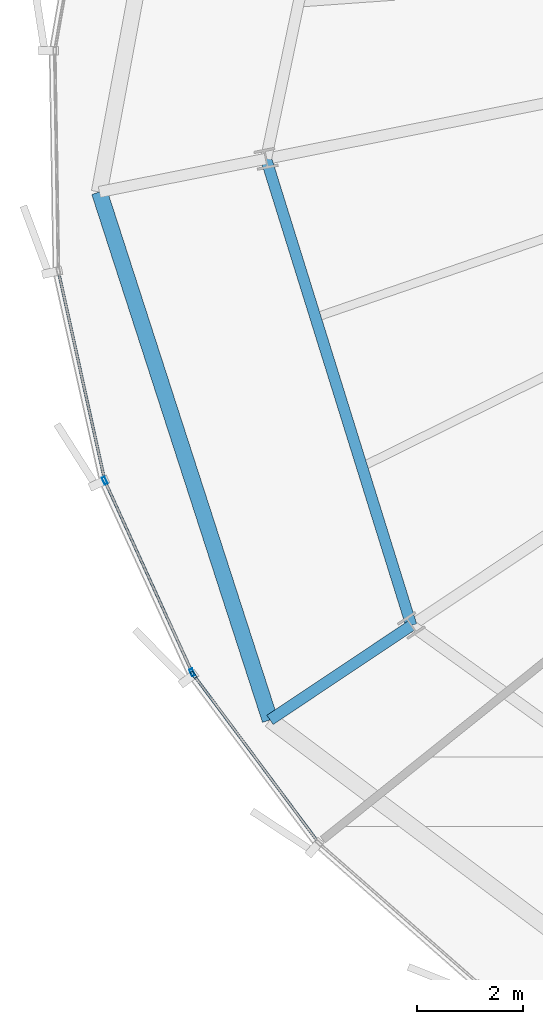
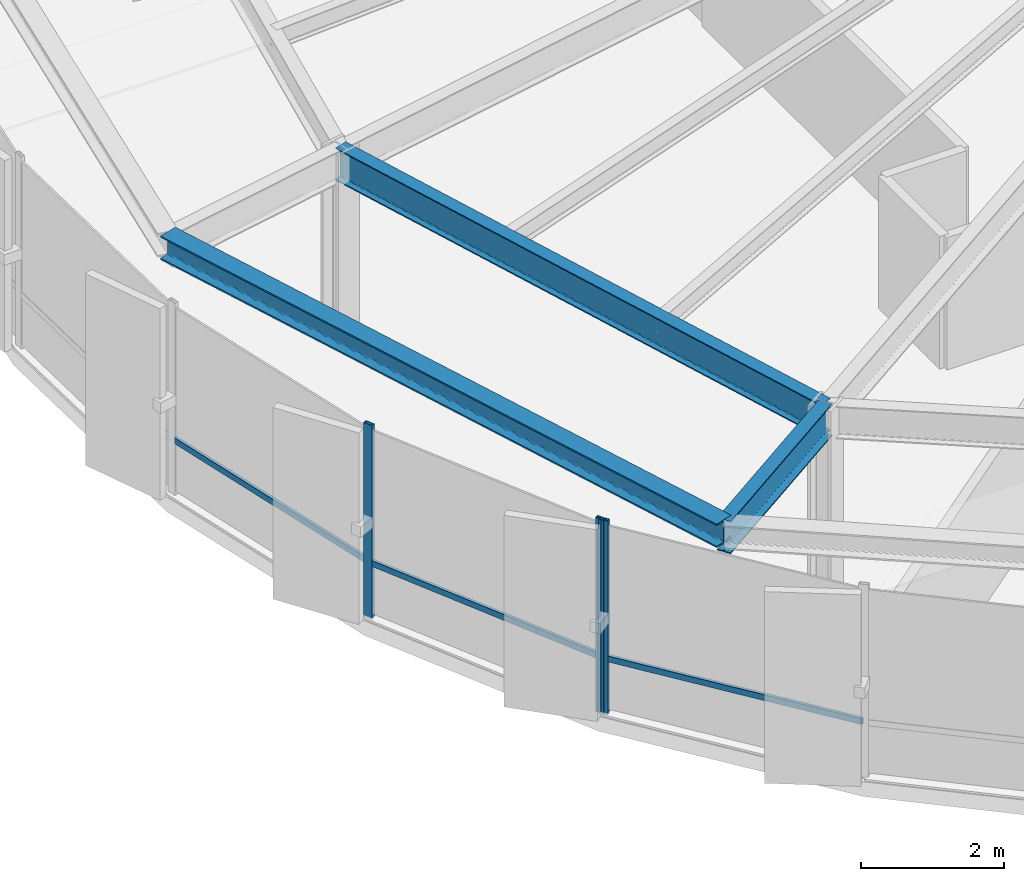
# One storey, part 3 of 32: 6 members, 3 beams, 2 elements without a shape of their own.
"""IFC4 building model written with IfcOpenShell, lengths in metres."""

from ifc_helpers import new_model, si_unit, direction, frame, origin, origin_2d, place, context, subcontext, project, spatial, hollow_rectangle, i_section, extrude, source, transform, mapped, material, layer, layer_set, material_profile, profile_set, type_object, element, aggregate, save


model = new_model("IFC4")

# Units and contexts
model_context = context("Model", 3, precision=1e-05, world=origin(), true_north=direction((0.0, 1.0)))
body_context = subcontext(model_context, "Body", "Model", "MODEL_VIEW")
ifc_project = project(units=[si_unit("LENGTHUNIT", "METRE"), si_unit("AREAUNIT", "SQUARE_METRE"), si_unit("VOLUMEUNIT", "CUBIC_METRE"), si_unit("PLANEANGLEUNIT", "RADIAN"), si_unit("MASSUNIT", "GRAM", prefix="KILO"), si_unit("THERMODYNAMICTEMPERATUREUNIT", "KELVIN")], contexts=[model_context])

# Site, building, storey
site_placement = place(None, origin())
site = spatial("IfcSite", under=ifc_project, at=site_placement, CompositionType="ELEMENT")
building_placement = place(site_placement, origin())
building = spatial("IfcBuilding", under=site, at=building_placement, Name="Kethvar Cultural Tower", CompositionType="ELEMENT")
storey_placement = place(building_placement, frame((0.0, 0.0, 157.199951171875)))
storey = spatial("IfcBuildingStorey", under=building, at=storey_placement, Name="L40", CompositionType="ELEMENT", Elevation=157.199951171875)

# Beams
ifc_material_1 = material(Name="Steel S355J2", Category="steel")
ifc_material_profile_1 = material_profile(ifc_material_1, i_section(OverallWidth=0.2099609375, OverallDepth=0.550048828125, WebThickness=0.010986328125, FlangeThickness=0.01708984375, FilletRadius=0.02392578125, at=origin_2d()), Name="Steel S355J2 — IPE550")
ifc_profile_set_1 = profile_set([ifc_material_profile_1], Name="Steel S355J2 — IPE550")
beam_type_1 = type_object("IfcBeamType", Name="BM-IPE550", PredefinedType="BEAM", material=ifc_profile_set_1)
shared_shape_1 = source(origin(), body_context, "Body", "SweptSolid", [
    extrude(i_section(OverallWidth=0.2099609375, OverallDepth=0.550048828125, WebThickness=0.010986328125, FlangeThickness=0.01708984375, FilletRadius=0.02392578125, at=origin_2d()), origin(), (0.0, 0.0, 1.0), 3.199951171875),
])
beam_1_placement = place(storey_placement, frame((26.920654296875, 14.51708984375, 3.02294921875), z_axis=(-0.831462943996, -0.555580212716, 0.0), x_axis=(0.555580212716, -0.831462943996, 0.0)))
element("IfcBeam", 1, at=beam_1_placement, inside=storey, type_object=beam_type_1, Name="L40 Perimeter Cantilever Beam RC-10", PredefinedType="BEAM", context=body_context, shape_type="MappedRepresentation", body=[
    mapped(shared_shape_1, transform((0.0, 0.0, 0.0), scale=1.0)),
])
shared_shape_2 = source(origin(), body_context, "Body", "SweptSolid", [
    extrude(i_section(OverallWidth=0.2099609375, OverallDepth=0.550048828125, WebThickness=0.010986328125, FlangeThickness=0.01708984375, FilletRadius=0.02392578125, at=origin_2d()), origin(), (0.0, 0.0, 1.0), 9.20068359375),
])
beam_2_placement = place(storey_placement, frame((24.185302734375, 23.3017578125, 3.02294921875), z_axis=(0.297298800285, -0.954784490526, 0.0), x_axis=(0.954784490526, 0.297298800285, 0.0)))
element("IfcBeam", 2, at=beam_2_placement, inside=storey, type_object=beam_type_1, Name="L40 Column Ring Tie Beam CR-09", PredefinedType="BEAM", context=body_context, shape_type="MappedRepresentation", body=[
    mapped(shared_shape_2, transform((0.0, 0.0, 0.0), scale=1.0)),
])
ifc_material_profile_2 = material_profile(ifc_material_1, i_section(OverallWidth=0.300048828125, OverallDepth=0.39990234375, WebThickness=0.013427734375, FlangeThickness=0.02392578125, FilletRadius=0.027099609375, at=origin_2d()), Name="Steel S355J2 — HEB400")
ifc_profile_set_2 = profile_set([ifc_material_profile_2], Name="Steel S355J2 — HEB400")
beam_type_2 = type_object("IfcBeamType", Name="BM-SP400", PredefinedType="SPANDREL", material=ifc_profile_set_2)
shared_shape_3 = source(origin(), body_context, "Body", "SweptSolid", [
    extrude(i_section(OverallWidth=0.300048828125, OverallDepth=0.39990234375, WebThickness=0.013427734375, FlangeThickness=0.02392578125, FilletRadius=0.027099609375, at=origin_2d()), origin(), (0.0, 0.0, 1.0), 10.44482421875),
])
beam_3_placement = place(storey_placement, frame((21.046875, 22.677490234375, 3.09814453125), z_axis=(0.307631709258, -0.951505507845, 0.0), x_axis=(0.951505507845, 0.307631709258, 0.0)))
element("IfcBeam", 3, at=beam_3_placement, inside=storey, type_object=beam_type_2, Name="L40 Perimeter Spandrel Beam SP-09", PredefinedType="SPANDREL", context=body_context, shape_type="MappedRepresentation", body=[
    mapped(shared_shape_3, transform((0.0, 0.0, 0.0), scale=1.0)),
])

# Curtain wall, members
ifc_material_2 = material(Name="Aluminium 6063-T6", Category="aluminium")
ifc_layer = layer(ifc_material_2, 0.179931640625, Name="Aluminium 6063-T6", Category="aluminium")
ifc_layer_set = layer_set([ifc_layer], Name="Aluminium 6063-T6 (180 mm)")
curtain_wall_type = type_object("IfcCurtainWallType", Name="CW-SYS-04-Z34", PredefinedType="NOTDEFINED", material=ifc_layer_set)
curtain_wall_1_placement = place(storey_placement, origin())
curtain_wall_1 = element("IfcCurtainWall", 4, at=curtain_wall_1_placement, inside=storey, type_object=curtain_wall_type, Name="L40 Curtain Wall Run 03", PredefinedType="NOTDEFINED")
ifc_material_profile_3 = material_profile(ifc_material_2, hollow_rectangle(XDim=0.06005859375, YDim=0.139892578125, WallThickness=0.0048828125, at=origin_2d()), Name="Aluminium 6063-T6 — RHS140x60x5")
ifc_profile_set_3 = profile_set([ifc_material_profile_3], Name="Aluminium 6063-T6 — RHS140x60x5")
member_type_1 = type_object("IfcMemberType", Name="CW-SYS-04-Z34-MUL", PredefinedType="MULLION", material=ifc_profile_set_3)
shared_shape_4 = source(origin(), body_context, "Body", "SweptSolid", [
    extrude(hollow_rectangle(XDim=0.06005859375, YDim=0.139892578125, WallThickness=0.0048828125, at=origin_2d()), origin(), (0.0, 0.0, 1.0), 3.300048828125),
])
member_1_placement = place(storey_placement, frame((21.147216796875, 17.244140625, 0.0), z_axis=(0.0, 0.0, 1.0), x_axis=(0.909896119788, 0.414836173922, 0.0)))
member_1 = element("IfcMember", 5, at=member_1_placement, type_object=member_type_1, Name="CW-L40-R03 Mullion 6", PredefinedType="MULLION", context=body_context, shape_type="MappedRepresentation", body=[
    mapped(shared_shape_4, transform((0.0, 0.0, 0.0), scale=1.0)),
])
member_2_placement = place(storey_placement, frame((22.793212890625, 13.6337890625, 0.0), z_axis=(0.0, 0.0, 1.0), x_axis=(0.909896119788, 0.414836173922, 0.0)))
member_2 = element("IfcMember", 6, at=member_2_placement, type_object=member_type_1, Name="CW-L40-R03 Mullion 7", PredefinedType="MULLION", context=body_context, shape_type="MappedRepresentation", body=[
    mapped(shared_shape_4, transform((0.0, 0.0, 0.0), scale=1.0)),
])

# Curtain wall, member
curtain_wall_2_placement = place(storey_placement, origin())
curtain_wall_2 = element("IfcCurtainWall", 7, at=curtain_wall_2_placement, inside=storey, type_object=curtain_wall_type, Name="L40 Curtain Wall Run 04", PredefinedType="NOTDEFINED")
member_3_placement = place(storey_placement, frame((22.82080078125, 13.58740234375, 0.0), z_axis=(0.0, 0.0, 1.0), x_axis=(0.80185908064, 0.597513192152, 0.0)))
member_3 = element("IfcMember", 8, at=member_3_placement, type_object=member_type_1, Name="CW-L40-R04 Mullion 1", PredefinedType="MULLION", context=body_context, shape_type="MappedRepresentation", body=[
    mapped(shared_shape_4, transform((0.0, 0.0, 0.0), scale=1.0)),
])

# Member
ifc_material_profile_4 = material_profile(ifc_material_2, hollow_rectangle(XDim=0.050048828125, YDim=0.10009765625, WallThickness=0.00390625, at=origin_2d()), Name="Aluminium 6063-T6 — RHS100x50x4")
ifc_profile_set_4 = profile_set([ifc_material_profile_4], Name="Aluminium 6063-T6 — RHS100x50x4")
member_type_2 = type_object("IfcMemberType", Name="CW-SYS-04-Z34-TRN", PredefinedType="USERDEFINED", material=ifc_profile_set_4)
shared_shape_5 = source(origin(), body_context, "Body", "SweptSolid", [
    extrude(hollow_rectangle(XDim=0.050048828125, YDim=0.10009765625, WallThickness=0.00390625, at=origin_2d()), origin(), (0.0, 0.0, 1.0), 3.977783203125),
])
member_4_placement = place(storey_placement, frame((20.2841796875, 21.148193359375, 0.949951171875), z_axis=(0.216410539202, -0.976302452379, 0.0), x_axis=(0.976302452379, 0.216410539202, 0.0)))
member_4 = element("IfcMember", 9, at=member_4_placement, type_object=member_type_2, Name="CW-L40-R03 Transom 5", ObjectType="TRANSOM", PredefinedType="USERDEFINED", context=body_context, shape_type="MappedRepresentation", body=[
    mapped(shared_shape_5, transform((0.0, 0.0, 0.0), scale=1.0)),
])

shared_shape_6 = source(origin(), body_context, "Body", "SweptSolid", [
    extrude(hollow_rectangle(XDim=0.050048828125, YDim=0.10009765625, WallThickness=0.00390625, at=origin_2d()), origin(), (0.0, 0.0, 1.0), 3.92041015625),
])
member_5_placement = place(storey_placement, frame((21.1650390625, 17.204833984375, 0.949951171875), z_axis=(0.414867712828, -0.909881740037, 0.0), x_axis=(0.909881740037, 0.414867712828, 0.0)))
member_5 = element("IfcMember", 10, at=member_5_placement, type_object=member_type_2, Name="CW-L40-R03 Transom 6", ObjectType="TRANSOM", PredefinedType="USERDEFINED", context=body_context, shape_type="MappedRepresentation", body=[
    mapped(shared_shape_6, transform((0.0, 0.0, 0.0), scale=1.0)),
])

aggregate(curtain_wall_1, [member_1, member_2, member_4, member_5])

shared_shape_7 = source(origin(), body_context, "Body", "SweptSolid", [
    extrude(hollow_rectangle(XDim=0.050048828125, YDim=0.10009765625, WallThickness=0.00390625, at=origin_2d()), origin(), (0.0, 0.0, 1.0), 3.920654296875),
])
member_6_placement = place(storey_placement, frame((22.8232421875, 13.583984375, 0.949951171875), z_axis=(0.597496239912, -0.80187171249, 0.0), x_axis=(0.80187171249, 0.597496239912, 0.0)))
member_6 = element("IfcMember", 11, at=member_6_placement, type_object=member_type_2, Name="CW-L40-R04 Transom 1", ObjectType="TRANSOM", PredefinedType="USERDEFINED", context=body_context, shape_type="MappedRepresentation", body=[
    mapped(shared_shape_7, transform((0.0, 0.0, 0.0), scale=1.0)),
])

aggregate(curtain_wall_2, [member_3, member_6])

save(model, "model.ifc")
